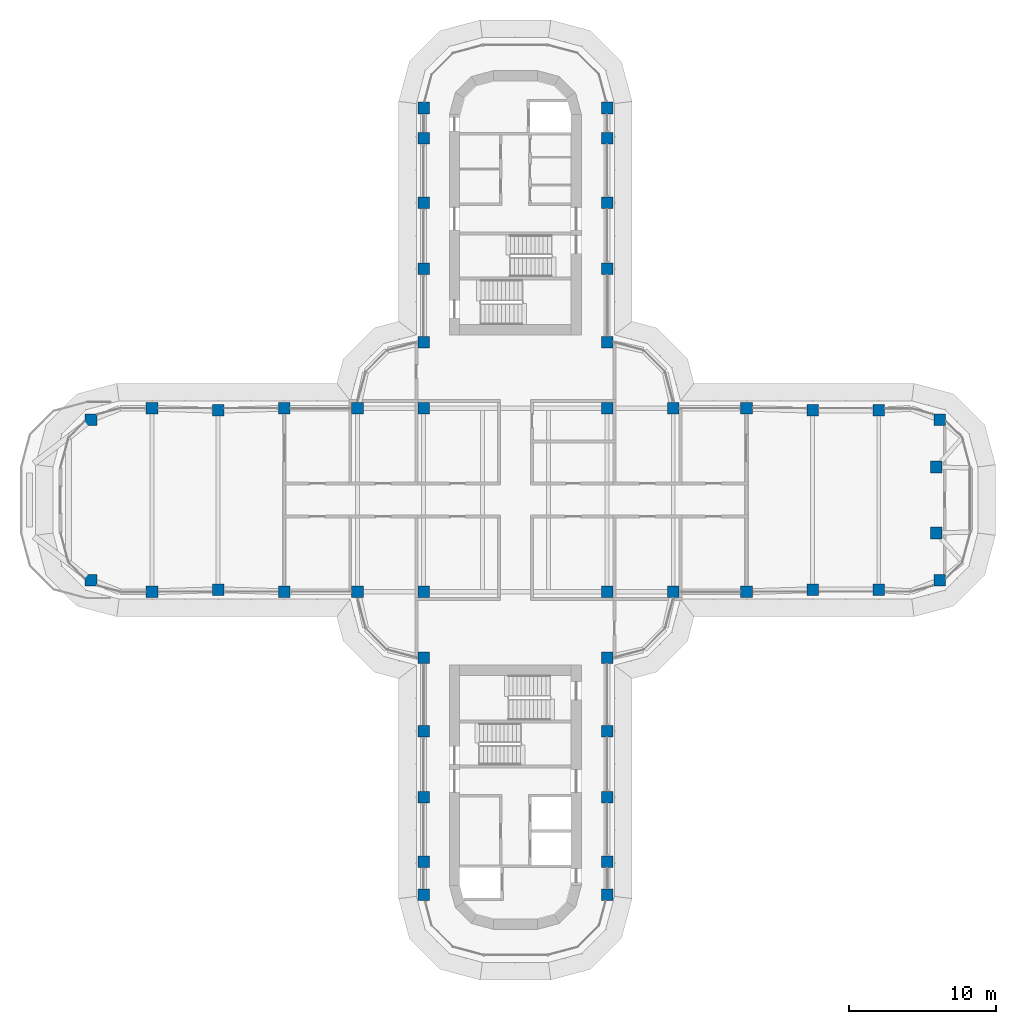
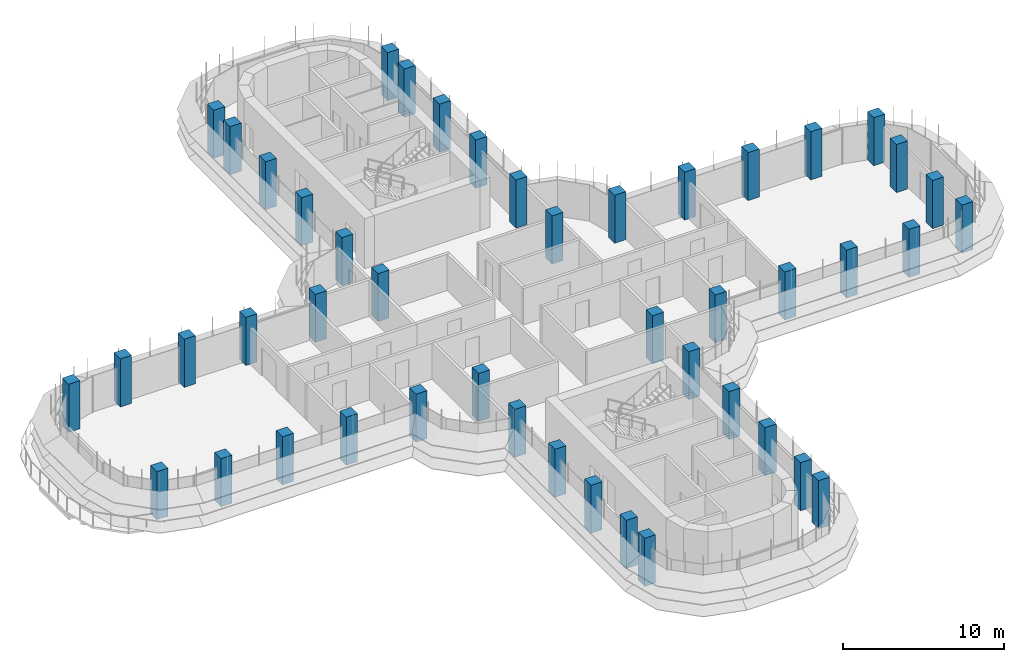
# One storey, part 1 of 20: 46 columns.
"""IFC4 building model written with IfcOpenShell, lengths in metres."""

import ifcopenshell
import ifcopenshell.guid

model = None  # the IFC model being written
_history = None  # IfcOwnerHistory: only IFC2X3 demands one
_inside = {}  # id of a spatial element -> (the spatial element, [elements in it])
_under = {}  # id of a project, library or spatial element -> (it, [spatial elements below it])
_declared = {}  # id of a project -> (the project, [libraries it declares])
_typed = {}  # id of a type object -> (the type object, [elements of that type])
_made_of = {}  # id of a material, layer set ... -> (it, [elements and type objects made of it])


def new_model(schema):
    """Start an empty IFC model of exactly this schema.

    Asked for "IFC4X3", IfcOpenShell would pick the latest addendum, in which some entities
    have other attributes; the version numbers below select the first issue.
    IFC2X3 requires an IfcOwnerHistory on every rooted entity: one is made here for all.
    """
    global model, _history
    if schema == "IFC4X3":
        model = ifcopenshell.file(schema_version=(4, 3, 0, 0))
    else:
        model = ifcopenshell.file(schema=schema)
    _inside.clear()
    _under.clear()
    _declared.clear()
    _typed.clear()
    _made_of.clear()
    _history = None
    if model.schema == "IFC2X3":
        org = make("IfcOrganization", Name="unknown")
        user = make(
            "IfcPersonAndOrganization",
            ThePerson=make("IfcPerson", FamilyName="unknown"),
            TheOrganization=org,
        )
        app = make(
            "IfcApplication",
            ApplicationDeveloper=org,
            Version="unknown",
            ApplicationFullName="unknown",
            ApplicationIdentifier="unknown",
        )
        _history = make(
            "IfcOwnerHistory",
            OwningUser=user,
            OwningApplication=app,
            ChangeAction="ADDED",
            CreationDate=0,
        )
    return model


def make(cls, **values):
    """One entity of the class cls with the attributes given. An attribute that is None is left unset."""
    return model.create_entity(
        cls, **{name: value for name, value in values.items() if value is not None}
    )


def rooted(cls, **values):
    """An entity with a GlobalId (a new one), such as an element, a storey or a relation."""
    return make(cls, GlobalId=ifcopenshell.guid.new(), OwnerHistory=_history, **values)


def si_unit(unit_type, name, prefix=None):
    """IfcSIUnit, for example si_unit("LENGTHUNIT", "METRE", prefix="MILLI")."""
    return make("IfcSIUnit", UnitType=unit_type, Prefix=prefix, Name=name)


def assignment(units):
    """IfcUnitAssignment: the units of a project."""
    return None if units is None else make("IfcUnitAssignment", Units=units)


def point(xyz):
    """IfcCartesianPoint."""
    return None if xyz is None else make("IfcCartesianPoint", Coordinates=xyz)


def direction(xyz):
    """IfcDirection."""
    return None if xyz is None else make("IfcDirection", DirectionRatios=xyz)


def frame(location, z_axis=None, x_axis=None):
    """IfcAxis2Placement3D, a coordinate frame: its origin and axes. An axis left out is left unset."""
    return make(
        "IfcAxis2Placement3D",
        Location=point(location),
        Axis=direction(z_axis),
        RefDirection=direction(x_axis),
    )


def frame_2d(location, x_axis=None):
    """IfcAxis2Placement2D, a coordinate frame in the plane: its origin and x axis."""
    return make(
        "IfcAxis2Placement2D", Location=point(location), RefDirection=direction(x_axis)
    )


def origin():
    """The frame at (0, 0, 0) with its axes left unset."""
    return frame((0.0, 0.0, 0.0))


def origin_2d():
    """The frame at (0, 0) in the plane with its x axis left unset."""
    return frame_2d((0.0, 0.0))


def place(relative_to, where):
    """IfcLocalPlacement: puts the frame where relative to a parent placement (None: the world)."""
    return make(
        "IfcLocalPlacement", PlacementRelTo=relative_to, RelativePlacement=where
    )


def context(
    kind, dimensions, precision=None, world=None, true_north=None, identifier=None
):
    """IfcGeometricRepresentationContext, for example the 3D "Model" context."""
    return make(
        "IfcGeometricRepresentationContext",
        ContextIdentifier=identifier,
        ContextType=kind,
        CoordinateSpaceDimension=dimensions,
        Precision=precision,
        WorldCoordinateSystem=world,
        TrueNorth=true_north,
    )


def subcontext(parent, identifier, kind, view, scale=None):
    """IfcGeometricRepresentationSubContext, for example "Body" below "Model"."""
    return make(
        "IfcGeometricRepresentationSubContext",
        ContextIdentifier=identifier,
        ContextType=kind,
        ParentContext=parent,
        TargetScale=scale,
        TargetView=view,
    )


def project(units=None, contexts=None):
    """IfcProject with its units and contexts."""
    return rooted(
        "IfcProject",
        Name="project",
        RepresentationContexts=contexts,
        UnitsInContext=assignment(units),
    )


def spatial(cls, under=None, at=None, **own):
    """A site, building, storey or space (cls), placed at a placement, below another one or the project."""
    s = rooted(cls, ObjectPlacement=at, **own)
    if under is not None:
        _under.setdefault(under.id(), (under, []))[1].append(s)
    return s


def profile(cls, at=None, kind="AREA", **sizes):
    """A parametric profile (cls). Its sizes go by their IFC names, for example OverallWidth=200.0."""
    return make(cls, ProfileType=kind, Position=at, **sizes)


def rectangle(**sizes):
    """IfcRectangleProfileDef."""
    return profile("IfcRectangleProfileDef", **sizes)


def extrude(swept, where, along, depth):
    """IfcExtrudedAreaSolid: the profile swept, set in the frame where, extruded along a direction by depth."""
    return make(
        "IfcExtrudedAreaSolid",
        SweptArea=swept,
        Position=where,
        ExtrudedDirection=direction(along),
        Depth=depth,
    )


def shape(context_of_items, identifier, shape_type, items):
    """IfcShapeRepresentation: the items that make up one representation, for example the "Body"."""
    return make(
        "IfcShapeRepresentation",
        ContextOfItems=context_of_items,
        RepresentationIdentifier=identifier,
        RepresentationType=shape_type,
        Items=items,
    )


def material(Name=None, Category=None):
    """IfcMaterial."""
    return make("IfcMaterial", Name=Name, Category=Category)


def material_profile(
    of_material, cross_section, Name=None, Category=None, Priority=None
):
    """IfcMaterialProfile: a cross section and its material."""
    return make(
        "IfcMaterialProfile",
        Name=Name,
        Material=of_material,
        Profile=cross_section,
        Priority=Priority,
        Category=Category,
    )


def profile_set(profiles, Name=None, composite=None):
    """IfcMaterialProfileSet."""
    return make(
        "IfcMaterialProfileSet",
        Name=Name,
        MaterialProfiles=profiles,
        CompositeProfile=composite,
    )


def made_of(thing, what):
    """Note that an element or type object is made of a material, layer set ...; save() writes the relation."""
    if what is not None:
        _made_of.setdefault(what.id(), (what, []))[1].append(thing)
    return thing


def type_object(cls, material=None, **own):
    """A type object (cls), such as IfcWallType, which elements share."""
    return made_of(rooted(cls, **own), material)


def element(
    cls,
    number,
    at=None,
    inside=None,
    cuts=None,
    type_object=None,
    material=None,
    context=None,
    identifier="Body",
    shape_type=None,
    held_by="IfcProductDefinitionShape",
    body=None,
    shapes=None,
    **own,
):
    """One element of the class cls, such as IfcWall. Its Tag is "e" and its number.

    at: its placement. inside: the storey or other place that contains it. cuts: it is an
    opening in that element (IfcRelVoidsElement). A single representation is given by context,
    identifier, shape_type and body (its items); several are given by shapes. held_by: the class
    of the entity that holds the representations. save() writes the other relations.
    """
    e = rooted(cls, Tag="e%d" % number, ObjectPlacement=at, **own)
    if body is not None:
        shapes = [shape(context, identifier, shape_type, body)]
    if shapes is not None:
        e.Representation = make(held_by, Representations=shapes)
    if inside is not None:
        _inside.setdefault(inside.id(), (inside, []))[1].append(e)
    if cuts is not None:
        rooted(
            "IfcRelVoidsElement", RelatingBuildingElement=cuts, RelatedOpeningElement=e
        )
    if type_object is not None:
        _typed.setdefault(type_object.id(), (type_object, []))[1].append(e)
    return made_of(e, material)


def aggregate(whole, parts):
    """IfcRelAggregates: a whole, such as a stair, and the parts it consists of."""
    return rooted("IfcRelAggregates", RelatingObject=whole, RelatedObjects=parts)


def save(model, path):
    """Write the relations noted so far, then the file.

    IfcRelAggregates (storeys below a building ...), IfcRelContainedInSpatialStructure (elements
    in a storey), IfcRelDefinesByType, IfcRelAssociatesMaterial and IfcRelDeclares: one each for
    every whole, place, type object, material and project.
    """
    for whole, parts in _under.values():
        aggregate(whole, parts)
    for where, things in _inside.values():
        rooted(
            "IfcRelContainedInSpatialStructure",
            RelatedElements=things,
            RelatingStructure=where,
        )
    for kind, things in _typed.values():
        rooted("IfcRelDefinesByType", RelatedObjects=things, RelatingType=kind)
    for what, things in _made_of.values():
        rooted("IfcRelAssociatesMaterial", RelatedObjects=things, RelatingMaterial=what)
    for by, libraries in _declared.values():
        rooted("IfcRelDeclares", RelatingContext=by, RelatedDefinitions=libraries)
    model.write(path)


model = new_model("IFC4")

# Units and contexts
model_context = context("Model", 3, precision=1e-05, world=origin(), true_north=direction((0.0, 1.0)))
body_context = subcontext(model_context, "Body", "Model", "MODEL_VIEW")
ifc_project = project(units=[si_unit("LENGTHUNIT", "METRE"), si_unit("AREAUNIT", "SQUARE_METRE"), si_unit("VOLUMEUNIT", "CUBIC_METRE"), si_unit("PLANEANGLEUNIT", "RADIAN"), si_unit("MASSUNIT", "GRAM", prefix="KILO")], contexts=[model_context])

# Site, building, storey
site_placement = place(None, origin())
site = spatial("IfcSite", under=ifc_project, at=site_placement, CompositionType="ELEMENT")
building_placement = place(site_placement, origin())
building = spatial("IfcBuilding", under=site, at=building_placement, Name="Zarbagh Exchange Tower", CompositionType="ELEMENT")
storey_placement = place(building_placement, frame((0.0, 0.0, 186.60009765625)))
storey = spatial("IfcBuildingStorey", under=building, at=storey_placement, Name="L45", CompositionType="ELEMENT", Elevation=186.60009765625)

# Columns
ifc_material = material(Name="Concrete C50/60", Category="concrete")
ifc_material_profile = material_profile(ifc_material, rectangle(XDim=0.800048828125, YDim=0.800048828125, at=origin_2d()), Name="RC column 800 x 800 C50/60")
ifc_profile_set = profile_set([ifc_material_profile], Name="Concrete C50/60")
column_type = type_object("IfcColumnType", Name="RC column 800 x 800 C50/60", PredefinedType="COLUMN", material=ifc_profile_set)
for number, where, z_axis, x_axis, name in (
    (1, (-28.907958984375, -5.47509765625, 0.0), (0.0, 0.0, 1.0), (1.0, 0.0, 0.0), "C4 11/R"),
    (2, (-28.907958984375, 5.47509765625, 0.0), (0.0, 0.0, 1.0), (1.0, 0.0, 0.0), "C4 11/U"),
    (3, (-24.75, -6.25, 0.0), (0.0, 0.0, 1.0), (1.0, 0.0, 0.0), "C4 12/R"),
    (4, (-24.75, 6.25, 0.0), (0.0, 0.0, 1.0), (1.0, 0.0, 0.0), "C4 12/U"),
    (5, (-20.25, -6.110107421875, 0.0), (0.0, 0.0, 1.0), (1.0, 0.0, 0.0), "C4 13/R"),
    (6, (-20.25, 6.110107421875, 0.0), (0.0, 0.0, 1.0), (1.0, 0.0, 0.0), "C4 13/U"),
    (7, (-15.75, -6.25, 0.0), (0.0, 0.0, 1.0), (1.0, 0.0, 0.0), "C4 14/R"),
    (8, (-15.75, 6.25, 0.0), (0.0, 0.0, 1.0), (1.0, 0.0, 0.0), "C4 14/U"),
    (9, (-10.75, -6.25, 0.0), (0.0, 0.0, 1.0), (1.0, 0.0, 0.0), "C4 15/R"),
    (10, (-10.75, 6.25, 0.0), (0.0, 0.0, 1.0), (1.0, 0.0, 0.0), "C4 15/U"),
    (11, (-6.25, -26.89990234375, 0.0), (0.0, 0.0, 1.0), (1.0, 0.0, 0.0), "C4 16/L"),
    (12, (-6.25, -24.64990234375, 0.0), (0.0, 0.0, 1.0), (1.0, 0.0, 0.0), "C4 16/M"),
    (13, (-6.25, -20.25, 0.0), (0.0, 0.0, 1.0), (1.0, 0.0, 0.0), "C4 16/N"),
    (14, (-6.25, -15.75, 0.0), (0.0, 0.0, 1.0), (1.0, 0.0, 0.0), "C4 16/P"),
    (15, (-6.25, -10.75, 0.0), (0.0, 0.0, 1.0), (1.0, 0.0, 0.0), "C4 16/Q"),
    (16, (-6.25, -6.25, 0.0), (0.0, 0.0, 1.0), (1.0, 0.0, 0.0), "C4 16/R"),
    (17, (-6.25, 6.25, 0.0), (0.0, 0.0, 1.0), (1.0, 0.0, 0.0), "C4 16/U"),
    (18, (-6.25, 10.75, 0.0), (0.0, 0.0, 1.0), (1.0, 0.0, 0.0), "C4 16/V"),
    (19, (-6.25, 15.75, 0.0), (0.0, 0.0, 1.0), (1.0, 0.0, 0.0), "C4 16/W"),
    (20, (-6.25, 20.25, 0.0), (0.0, 0.0, 1.0), (1.0, 0.0, 0.0), "C4 16/X"),
    (21, (-6.25, 24.64990234375, 0.0), (0.0, 0.0, 1.0), (1.0, 0.0, 0.0), "C4 16/Y"),
    (22, (-6.25, 26.699951171875, 0.0), (0.0, 0.0, 1.0), (1.0, 0.0, 0.0), "C4 16/Z"),
    (23, (6.25, -26.89990234375, 0.0), (0.0, 0.0, 1.0), (1.0, 0.0, 0.0), "C4 19/L"),
    (24, (6.25, -24.64990234375, 0.0), (0.0, 0.0, 1.0), (1.0, 0.0, 0.0), "C4 19/M"),
    (25, (6.25, -20.25, 0.0), (0.0, 0.0, 1.0), (1.0, 0.0, 0.0), "C4 19/N"),
    (26, (6.25, -15.75, 0.0), (0.0, 0.0, 1.0), (1.0, 0.0, 0.0), "C4 19/P"),
    (27, (6.25, -10.75, 0.0), (0.0, 0.0, 1.0), (1.0, 0.0, 0.0), "C4 19/Q"),
    (28, (6.25, -6.25, 0.0), (0.0, 0.0, 1.0), (1.0, 0.0, 0.0), "C4 19/R"),
    (29, (6.25, 6.25, 0.0), (0.0, 0.0, 1.0), (1.0, 0.0, 0.0), "C4 19/U"),
    (30, (6.25, 10.75, 0.0), (0.0, 0.0, 1.0), (1.0, 0.0, 0.0), "C4 19/V"),
    (31, (6.25, 15.75, 0.0), (0.0, 0.0, 1.0), (1.0, 0.0, 0.0), "C4 19/W"),
    (32, (6.25, 20.25, 0.0), (0.0, 0.0, 1.0), (1.0, 0.0, 0.0), "C4 19/X"),
    (33, (6.25, 24.64990234375, 0.0), (0.0, 0.0, 1.0), (1.0, 0.0, 0.0), "C4 19/Y"),
    (34, (6.25, 26.699951171875, 0.0), (0.0, 0.0, 1.0), (1.0, 0.0, 0.0), "C4 19/Z"),
    (35, (10.75, -6.25, 0.0), (0.0, 0.0, 1.0), (1.0, 0.0, 0.0), "C4 20/R"),
    (36, (10.75, 6.25, 0.0), (0.0, 0.0, 1.0), (1.0, 0.0, 0.0), "C4 20/U"),
    (37, (15.75, -6.25, 0.0), (0.0, 0.0, 1.0), (1.0, 0.0, 0.0), "C4 21/R"),
    (38, (15.75, 6.25, 0.0), (0.0, 0.0, 1.0), (1.0, 0.0, 0.0), "C4 21/U"),
    (39, (20.25, -6.110107421875, 0.0), (0.0, 0.0, 1.0), (1.0, 0.0, 0.0), "C4 22/R"),
    (40, (20.25, 6.110107421875, 0.0), (0.0, 0.0, 1.0), (1.0, 0.0, 0.0), "C4 22/U"),
    (41, (24.75, -6.110107421875, 0.0), (0.0, 0.0, 1.0), (1.0, 0.0, 0.0), "C4 23/R"),
    (42, (24.75, 6.110107421875, 0.0), (0.0, 0.0, 1.0), (1.0, 0.0, 0.0), "C4 23/U"),
    (43, (28.907958984375, -5.47509765625, 0.0), (0.0, 0.0, 1.0), (1.0, 0.0, 0.0), "C4 24/R"),
    (44, (28.669921875, -2.25, 0.0), (0.0, 0.0, 1.0), (1.0, 0.0, 0.0), "C4 24/S"),
    (45, (28.669921875, 2.25, 0.0), (0.0, 0.0, 1.0), (1.0, 0.0, 0.0), "C4 24/T"),
    (46, (28.907958984375, 5.47509765625, 0.0), (0.0, 0.0, 1.0), (1.0, 0.0, 0.0), "C4 24/U"),
):
    element("IfcColumn", number, at=place(storey_placement, frame(where, z_axis=z_axis, x_axis=x_axis)), inside=storey, type_object=column_type, Name=name, PredefinedType="COLUMN", context=body_context, shape_type="SweptSolid", body=[
        extrude(rectangle(XDim=0.800048828125, YDim=0.800048828125, at=origin_2d()), origin(), (0.0, 0.0, 1.0), 3.64990234375),
    ])

save(model, "model.ifc")
